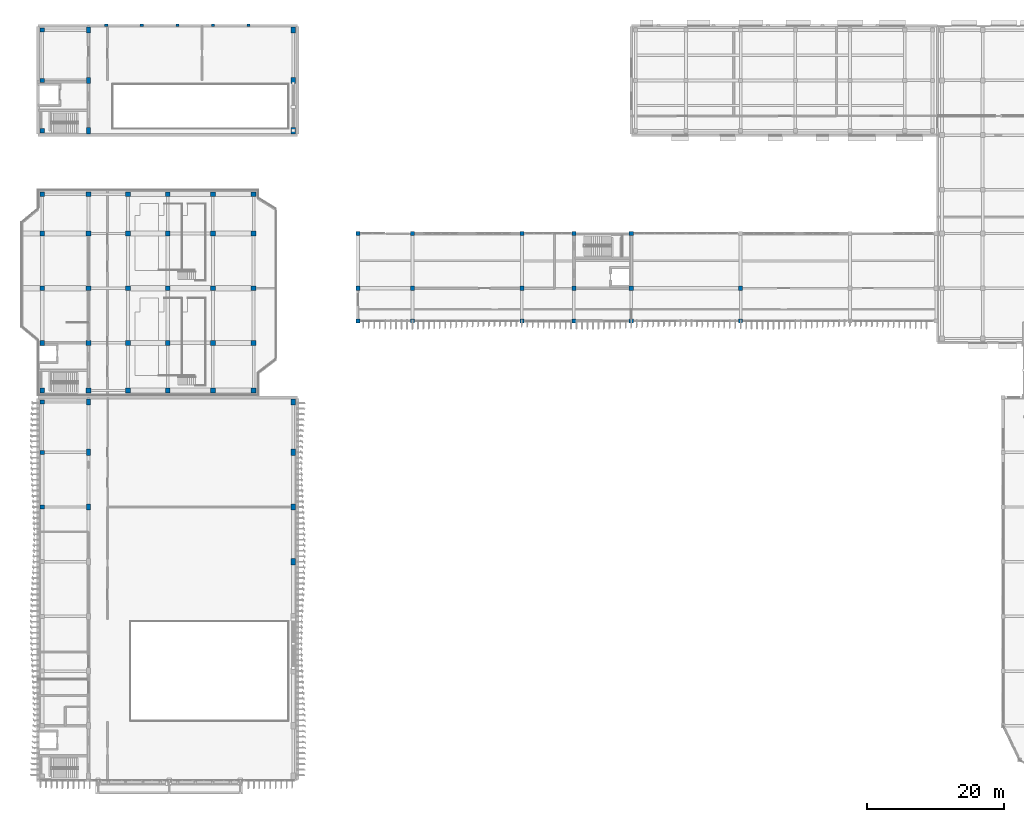
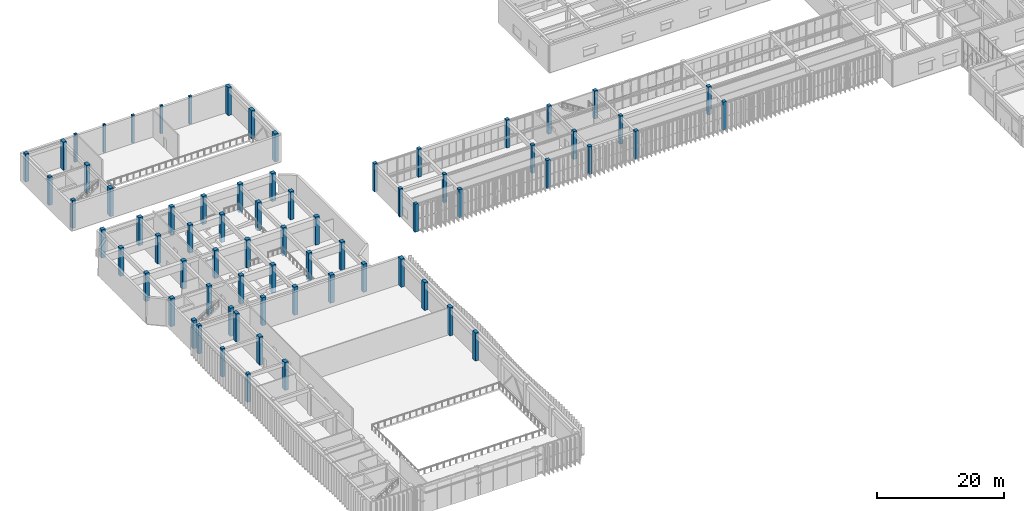
# One storey, part 2 of 64: 71 columns.
"""IFC4 building model written with IfcOpenShell, lengths in metres."""

from ifc_helpers import new_model, si_unit, direction, frame, origin, origin_2d, place, context, subcontext, project, spatial, rectangle, extrude, material, material_profile, profile_set, type_object, element, save


model = new_model("IFC4")

# Units and contexts
model_context = context("Model", 3, precision=1e-05, world=origin(), true_north=direction((0.0, 1.0)))
body_context = subcontext(model_context, "Body", "Model", "MODEL_VIEW")
ifc_project = project(units=[si_unit("LENGTHUNIT", "METRE"), si_unit("AREAUNIT", "SQUARE_METRE"), si_unit("VOLUMEUNIT", "CUBIC_METRE"), si_unit("PLANEANGLEUNIT", "RADIAN"), si_unit("MASSUNIT", "GRAM", prefix="KILO")], contexts=[model_context])

# Site, building, storey
site_placement = place(None, origin())
site = spatial("IfcSite", under=ifc_project, at=site_placement, CompositionType="ELEMENT")
building_placement = place(site_placement, origin())
building = spatial("IfcBuilding", under=site, at=building_placement, Name="Cinchona Park Media Centre", CompositionType="ELEMENT")
storey_placement = place(building_placement, frame((0.0, 0.0, 10.199951171875)))
storey = spatial("IfcBuildingStorey", under=building, at=storey_placement, Name="L02", CompositionType="ELEMENT", Elevation=10.199951171875)

# Columns
ifc_material_1 = material(Name="Concrete C40/50", Category="concrete")
ifc_material_profile_1 = material_profile(ifc_material_1, rectangle(XDim=0.699951171875, YDim=0.699951171875, at=origin_2d()), Name="RC 700X700")
ifc_profile_set_1 = profile_set([ifc_material_profile_1], Name="Concrete C40/50")
column_type_1 = type_object("IfcColumnType", Name="COL-C02-RC700X700", PredefinedType="COLUMN", material=ifc_profile_set_1)
for number, where, z_axis, x_axis, name in (
    (1, (8.639892578125, 64.639892578125, 0.0), (0.0, 0.0, 1.0), (1.0, 0.0, 0.0), "Column C02 L02"),
    (2, (8.639892578125, 71.60009765625, 0.0), (0.0, 0.0, 1.0), (1.0, 0.0, 0.0), "Column C02 L02"),
    (3, (8.639892578125, 79.60009765625, 0.0), (0.0, 0.0, 1.0), (1.0, 0.0, 0.0), "Column C02 L02"),
    (4, (8.639892578125, 87.60009765625, 0.0), (0.0, 0.0, 1.0), (1.0, 0.0, 0.0), "Column C02 L02"),
    (5, (8.639892578125, 93.360107421875, 0.0), (0.0, 0.0, 1.0), (1.0, 0.0, 0.0), "Column C02 L02"),
    (6, (15.39990234375, 64.639892578125, 0.0), (0.0, 0.0, 1.0), (1.0, 0.0, 0.0), "Column C02 L02"),
    (7, (15.39990234375, 71.60009765625, 0.0), (0.0, 0.0, 1.0), (1.0, 0.0, 0.0), "Column C02 L02"),
    (8, (15.39990234375, 79.60009765625, 0.0), (0.0, 0.0, 1.0), (1.0, 0.0, 0.0), "Column C02 L02"),
    (9, (15.39990234375, 87.60009765625, 0.0), (0.0, 0.0, 1.0), (1.0, 0.0, 0.0), "Column C02 L02"),
    (10, (15.39990234375, 93.360107421875, 0.0), (0.0, 0.0, 1.0), (1.0, 0.0, 0.0), "Column C02 L02"),
    (11, (21.199951171875, 64.639892578125, 0.0), (0.0, 0.0, 1.0), (1.0, 0.0, 0.0), "Column C02 L02"),
    (12, (21.199951171875, 71.60009765625, 0.0), (0.0, 0.0, 1.0), (1.0, 0.0, 0.0), "Column C02 L02"),
    (13, (21.199951171875, 79.60009765625, 0.0), (0.0, 0.0, 1.0), (1.0, 0.0, 0.0), "Column C02 L02"),
    (14, (21.199951171875, 87.60009765625, 0.0), (0.0, 0.0, 1.0), (1.0, 0.0, 0.0), "Column C02 L02"),
    (15, (21.199951171875, 93.360107421875, 0.0), (0.0, 0.0, 1.0), (1.0, 0.0, 0.0), "Column C02 L02"),
    (16, (27.0, 64.639892578125, 0.0), (0.0, 0.0, 1.0), (1.0, 0.0, 0.0), "Column C02 L02"),
    (17, (27.0, 71.60009765625, 0.0), (0.0, 0.0, 1.0), (1.0, 0.0, 0.0), "Column C02 L02"),
    (18, (27.0, 79.60009765625, 0.0), (0.0, 0.0, 1.0), (1.0, 0.0, 0.0), "Column C02 L02"),
    (19, (27.0, 87.60009765625, 0.0), (0.0, 0.0, 1.0), (1.0, 0.0, 0.0), "Column C02 L02"),
    (20, (27.0, 93.360107421875, 0.0), (0.0, 0.0, 1.0), (1.0, 0.0, 0.0), "Column C02 L02"),
    (21, (33.60009765625, 64.639892578125, 0.0), (0.0, 0.0, 1.0), (1.0, 0.0, 0.0), "Column C02 L02"),
    (22, (33.60009765625, 71.60009765625, 0.0), (0.0, 0.0, 1.0), (1.0, 0.0, 0.0), "Column C02 L02"),
    (23, (33.60009765625, 79.60009765625, 0.0), (0.0, 0.0, 1.0), (1.0, 0.0, 0.0), "Column C02 L02"),
    (24, (33.60009765625, 87.60009765625, 0.0), (0.0, 0.0, 1.0), (1.0, 0.0, 0.0), "Column C02 L02"),
    (25, (33.60009765625, 93.360107421875, 0.0), (0.0, 0.0, 1.0), (1.0, 0.0, 0.0), "Column C02 L02"),
    (26, (39.56005859375, 64.639892578125, 0.0), (0.0, 0.0, 1.0), (1.0, 0.0, 0.0), "Column C02 L02"),
    (27, (39.56005859375, 71.60009765625, 0.0), (0.0, 0.0, 1.0), (1.0, 0.0, 0.0), "Column C02 L02"),
    (28, (39.56005859375, 79.60009765625, 0.0), (0.0, 0.0, 1.0), (1.0, 0.0, 0.0), "Column C02 L02"),
    (29, (39.56005859375, 87.60009765625, 0.0), (0.0, 0.0, 1.0), (1.0, 0.0, 0.0), "Column C02 L02"),
    (30, (39.56005859375, 93.360107421875, 0.0), (0.0, 0.0, 1.0), (1.0, 0.0, 0.0), "Column C02 L02"),
):
    element("IfcColumn", number, at=place(storey_placement, frame(where, z_axis=z_axis, x_axis=x_axis)), inside=storey, type_object=column_type_1, Name=name, PredefinedType="COLUMN", context=body_context, shape_type="SweptSolid", body=[
        extrude(rectangle(XDim=0.699951171875, YDim=0.699951171875, at=origin_2d()), origin(), (0.0, 0.0, 1.0), 5.400146484375),
    ])
ifc_material_2 = material(Name="Concrete C40/50", Category="concrete")
ifc_material_profile_2 = material_profile(ifc_material_2, rectangle(XDim=0.60009765625, YDim=0.60009765625, at=origin_2d()), Name="RC 600X600")
ifc_profile_set_2 = profile_set([ifc_material_profile_2], Name="Concrete C40/50")
column_type_2 = type_object("IfcColumnType", Name="COL-C03-RC600X600", PredefinedType="COLUMN", material=ifc_profile_set_2)
for number, where, z_axis, x_axis, name in (
    (31, (8.639892578125, 47.60009765625, 0.0), (0.0, 0.0, 1.0), (1.0, 0.0, 0.0), "Column C03 L02"),
    (32, (8.639892578125, 55.60009765625, 0.0), (0.0, 0.0, 1.0), (1.0, 0.0, 0.0), "Column C03 L02"),
    (33, (8.639892578125, 62.9599609375, 0.0), (0.0, 0.0, 1.0), (1.0, 0.0, 0.0), "Column C03 L02"),
    (34, (8.639892578125, 102.639892578125, 0.0), (0.0, 0.0, 1.0), (1.0, 0.0, 0.0), "Column C03 L02"),
    (35, (8.639892578125, 110.0, 0.0), (0.0, 0.0, 1.0), (1.0, 0.0, 0.0), "Column C03 L02"),
    (36, (8.639892578125, 117.360107421875, 0.0), (0.0, 0.0, 1.0), (1.0, 0.0, 0.0), "Column C03 L02"),
    (37, (54.800048828125, 74.800048828125, 0.0), (0.0, 0.0, 1.0), (1.0, 0.0, 0.0), "Column C03 L02"),
    (38, (54.800048828125, 79.60009765625, 0.0), (0.0, 0.0, 1.0), (1.0, 0.0, 0.0), "Column C03 L02"),
    (39, (54.800048828125, 87.60009765625, 0.0), (0.0, 0.0, 1.0), (1.0, 0.0, 0.0), "Column C03 L02"),
    (40, (62.800048828125, 74.800048828125, 0.0), (0.0, 0.0, 1.0), (1.0, 0.0, 0.0), "Column C03 L02"),
    (41, (62.800048828125, 79.60009765625, 0.0), (0.0, 0.0, 1.0), (1.0, 0.0, 0.0), "Column C03 L02"),
    (42, (62.800048828125, 87.60009765625, 0.0), (0.0, 0.0, 1.0), (1.0, 0.0, 0.0), "Column C03 L02"),
    (43, (78.800048828125, 74.800048828125, 0.0), (0.0, 0.0, 1.0), (1.0, 0.0, 0.0), "Column C03 L02"),
    (44, (78.800048828125, 79.60009765625, 0.0), (0.0, 0.0, 1.0), (1.0, 0.0, 0.0), "Column C03 L02"),
    (45, (78.800048828125, 87.60009765625, 0.0), (0.0, 0.0, 1.0), (1.0, 0.0, 0.0), "Column C03 L02"),
    (46, (86.39990234375, 74.800048828125, 0.0), (0.0, 0.0, 1.0), (1.0, 0.0, 0.0), "Column C03 L02"),
    (47, (86.39990234375, 79.60009765625, 0.0), (0.0, 0.0, 1.0), (1.0, 0.0, 0.0), "Column C03 L02"),
    (48, (86.39990234375, 87.60009765625, 0.0), (0.0, 0.0, 1.0), (1.0, 0.0, 0.0), "Column C03 L02"),
    (49, (94.800048828125, 74.800048828125, 0.0), (0.0, 0.0, 1.0), (1.0, 0.0, 0.0), "Column C03 L02"),
    (50, (94.800048828125, 79.60009765625, 0.0), (0.0, 0.0, 1.0), (1.0, 0.0, 0.0), "Column C03 L02"),
    (51, (94.800048828125, 87.60009765625, 0.0), (0.0, 0.0, 1.0), (1.0, 0.0, 0.0), "Column C03 L02"),
    (52, (110.800048828125, 74.800048828125, 0.0), (0.0, 0.0, 1.0), (1.0, 0.0, 0.0), "Column C03 L02"),
    (53, (110.800048828125, 79.60009765625, 0.0), (0.0, 0.0, 1.0), (1.0, 0.0, 0.0), "Column C03 L02"),
):
    element("IfcColumn", number, at=place(storey_placement, frame(where, z_axis=z_axis, x_axis=x_axis)), inside=storey, type_object=column_type_2, Name=name, PredefinedType="COLUMN", context=body_context, shape_type="SweptSolid", body=[
        extrude(rectangle(XDim=0.60009765625, YDim=0.60009765625, at=origin_2d()), origin(), (0.0, 0.0, 1.0), 5.400146484375),
    ])
ifc_material_3 = material(Name="Concrete C40/50", Category="concrete")
ifc_material_profile_3 = material_profile(ifc_material_3, rectangle(XDim=0.60009765625, YDim=0.89990234375, at=origin_2d()), Name="RC 600X900")
ifc_profile_set_3 = profile_set([ifc_material_profile_3], Name="Concrete C40/50")
column_type_3 = type_object("IfcColumnType", Name="COL-C05-RC600X900", PredefinedType="COLUMN", material=ifc_profile_set_3)
for number, where, z_axis, x_axis, name in (
    (54, (15.39990234375, 47.60009765625, 0.0), (0.0, 0.0, 1.0), (1.0, 0.0, 0.0), "Column C05 L02"),
    (55, (15.39990234375, 55.60009765625, 0.0), (0.0, 0.0, 1.0), (1.0, 0.0, 0.0), "Column C05 L02"),
    (56, (15.39990234375, 62.9599609375, 0.0), (0.0, 0.0, 1.0), (1.0, 0.0, 0.0), "Column C05 L02"),
    (57, (45.360107421875, 39.60009765625, 0.0), (0.0, 0.0, 1.0), (1.0, 0.0, 0.0), "Column C05 L02"),
    (58, (45.360107421875, 47.60009765625, 0.0), (0.0, 0.0, 1.0), (1.0, 0.0, 0.0), "Column C05 L02"),
    (59, (45.360107421875, 55.60009765625, 0.0), (0.0, 0.0, 1.0), (1.0, 0.0, 0.0), "Column C05 L02"),
    (60, (45.360107421875, 62.9599609375, 0.0), (0.0, 0.0, 1.0), (1.0, 0.0, 0.0), "Column C05 L02"),
    (61, (15.39990234375, 102.639892578125, 0.0), (0.0, 0.0, 1.0), (1.0, 0.0, 0.0), "Column C05 L02"),
    (62, (15.39990234375, 110.0, 0.0), (0.0, 0.0, 1.0), (1.0, 0.0, 0.0), "Column C05 L02"),
    (63, (15.39990234375, 117.360107421875, 0.0), (0.0, 0.0, 1.0), (1.0, 0.0, 0.0), "Column C05 L02"),
    (64, (45.360107421875, 102.639892578125, 0.0), (0.0, 0.0, 1.0), (1.0, 0.0, 0.0), "Column C05 L02"),
    (65, (45.360107421875, 110.0, 0.0), (0.0, 0.0, 1.0), (1.0, 0.0, 0.0), "Column C05 L02"),
    (66, (45.360107421875, 117.360107421875, 0.0), (0.0, 0.0, 1.0), (1.0, 0.0, 0.0), "Column C05 L02"),
):
    element("IfcColumn", number, at=place(storey_placement, frame(where, z_axis=z_axis, x_axis=x_axis)), inside=storey, type_object=column_type_3, Name=name, PredefinedType="COLUMN", context=body_context, shape_type="SweptSolid", body=[
        extrude(rectangle(XDim=0.60009765625, YDim=0.89990234375, at=origin_2d()), origin(), (0.0, 0.0, 1.0), 5.400146484375),
    ])
ifc_material_4 = material(Name="Concrete C40/50", Category="concrete")
ifc_material_profile_4 = material_profile(ifc_material_4, rectangle(XDim=0.35009765625, YDim=0.449951171875, at=origin_2d()), Name="RC 350X450")
ifc_profile_set_4 = profile_set([ifc_material_profile_4], Name="Concrete C40/50")
column_type_4 = type_object("IfcColumnType", Name="COL-CP01-RC350X450", PredefinedType="PILASTER", material=ifc_profile_set_4)
for number, where, z_axis, x_axis, name in (
    (67, (18.0, 118.080078125, 0.0), (0.0, 0.0, 1.0), (0.0, 1.0, 0.0), "Pilaster CP01 L02"),
    (68, (23.199951171875, 118.080078125, 0.0), (0.0, 0.0, 1.0), (0.0, 1.0, 0.0), "Pilaster CP01 L02"),
    (69, (28.39990234375, 118.080078125, 0.0), (0.0, 0.0, 1.0), (0.0, 1.0, 0.0), "Pilaster CP01 L02"),
    (70, (33.60009765625, 118.080078125, 0.0), (0.0, 0.0, 1.0), (0.0, 1.0, 0.0), "Pilaster CP01 L02"),
    (71, (38.800048828125, 118.080078125, 0.0), (0.0, 0.0, 1.0), (0.0, 1.0, 0.0), "Pilaster CP01 L02"),
):
    element("IfcColumn", number, at=place(storey_placement, frame(where, z_axis=z_axis, x_axis=x_axis)), inside=storey, type_object=column_type_4, Name=name, PredefinedType="PILASTER", context=body_context, shape_type="SweptSolid", body=[
        extrude(rectangle(XDim=0.35009765625, YDim=0.449951171875, at=origin_2d()), origin(), (0.0, 0.0, 1.0), 5.400146484375),
    ])

save(model, "model.ifc")
